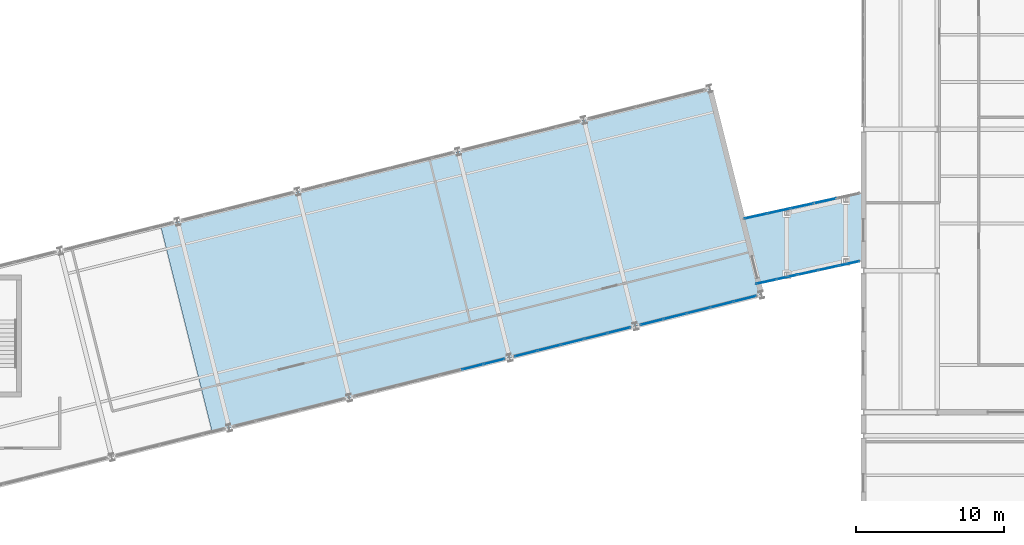
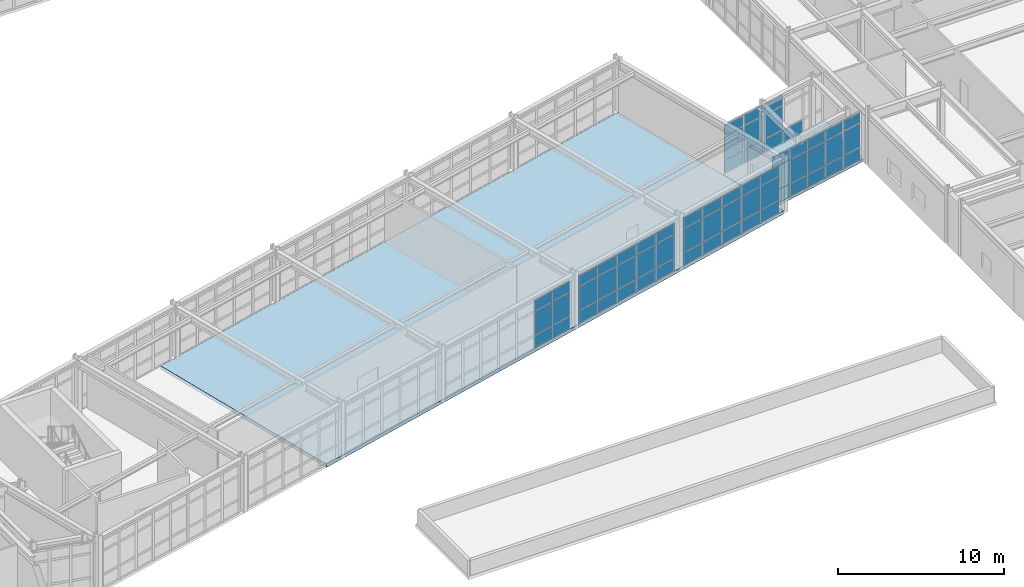
# One storey, part 63 of 99: 61 plates, 2 slabs, 5 elements without a shape of their own.
"""IFC4 building model written with IfcOpenShell, lengths in metres."""

import ifcopenshell
import ifcopenshell.guid

model = None  # the IFC model being written
_history = None  # IfcOwnerHistory: only IFC2X3 demands one
_inside = {}  # id of a spatial element -> (the spatial element, [elements in it])
_under = {}  # id of a project, library or spatial element -> (it, [spatial elements below it])
_declared = {}  # id of a project -> (the project, [libraries it declares])
_typed = {}  # id of a type object -> (the type object, [elements of that type])
_made_of = {}  # id of a material, layer set ... -> (it, [elements and type objects made of it])


def new_model(schema):
    """Start an empty IFC model of exactly this schema.

    Asked for "IFC4X3", IfcOpenShell would pick the latest addendum, in which some entities
    have other attributes; the version numbers below select the first issue.
    IFC2X3 requires an IfcOwnerHistory on every rooted entity: one is made here for all.
    """
    global model, _history
    if schema == "IFC4X3":
        model = ifcopenshell.file(schema_version=(4, 3, 0, 0))
    else:
        model = ifcopenshell.file(schema=schema)
    _inside.clear()
    _under.clear()
    _declared.clear()
    _typed.clear()
    _made_of.clear()
    _history = None
    if model.schema == "IFC2X3":
        org = make("IfcOrganization", Name="unknown")
        user = make(
            "IfcPersonAndOrganization",
            ThePerson=make("IfcPerson", FamilyName="unknown"),
            TheOrganization=org,
        )
        app = make(
            "IfcApplication",
            ApplicationDeveloper=org,
            Version="unknown",
            ApplicationFullName="unknown",
            ApplicationIdentifier="unknown",
        )
        _history = make(
            "IfcOwnerHistory",
            OwningUser=user,
            OwningApplication=app,
            ChangeAction="ADDED",
            CreationDate=0,
        )
    return model


def make(cls, **values):
    """One entity of the class cls with the attributes given. An attribute that is None is left unset."""
    return model.create_entity(
        cls, **{name: value for name, value in values.items() if value is not None}
    )


def rooted(cls, **values):
    """An entity with a GlobalId (a new one), such as an element, a storey or a relation."""
    return make(cls, GlobalId=ifcopenshell.guid.new(), OwnerHistory=_history, **values)


def si_unit(unit_type, name, prefix=None):
    """IfcSIUnit, for example si_unit("LENGTHUNIT", "METRE", prefix="MILLI")."""
    return make("IfcSIUnit", UnitType=unit_type, Prefix=prefix, Name=name)


def assignment(units):
    """IfcUnitAssignment: the units of a project."""
    return None if units is None else make("IfcUnitAssignment", Units=units)


def point(xyz):
    """IfcCartesianPoint."""
    return None if xyz is None else make("IfcCartesianPoint", Coordinates=xyz)


def direction(xyz):
    """IfcDirection."""
    return None if xyz is None else make("IfcDirection", DirectionRatios=xyz)


def frame(location, z_axis=None, x_axis=None):
    """IfcAxis2Placement3D, a coordinate frame: its origin and axes. An axis left out is left unset."""
    return make(
        "IfcAxis2Placement3D",
        Location=point(location),
        Axis=direction(z_axis),
        RefDirection=direction(x_axis),
    )


def frame_2d(location, x_axis=None):
    """IfcAxis2Placement2D, a coordinate frame in the plane: its origin and x axis."""
    return make(
        "IfcAxis2Placement2D", Location=point(location), RefDirection=direction(x_axis)
    )


def origin():
    """The frame at (0, 0, 0) with its axes left unset."""
    return frame((0.0, 0.0, 0.0))


def origin_2d():
    """The frame at (0, 0) in the plane with its x axis left unset."""
    return frame_2d((0.0, 0.0))


def place(relative_to, where):
    """IfcLocalPlacement: puts the frame where relative to a parent placement (None: the world)."""
    return make(
        "IfcLocalPlacement", PlacementRelTo=relative_to, RelativePlacement=where
    )


def context(
    kind, dimensions, precision=None, world=None, true_north=None, identifier=None
):
    """IfcGeometricRepresentationContext, for example the 3D "Model" context."""
    return make(
        "IfcGeometricRepresentationContext",
        ContextIdentifier=identifier,
        ContextType=kind,
        CoordinateSpaceDimension=dimensions,
        Precision=precision,
        WorldCoordinateSystem=world,
        TrueNorth=true_north,
    )


def subcontext(parent, identifier, kind, view, scale=None):
    """IfcGeometricRepresentationSubContext, for example "Body" below "Model"."""
    return make(
        "IfcGeometricRepresentationSubContext",
        ContextIdentifier=identifier,
        ContextType=kind,
        ParentContext=parent,
        TargetScale=scale,
        TargetView=view,
    )


def project(units=None, contexts=None):
    """IfcProject with its units and contexts."""
    return rooted(
        "IfcProject",
        Name="project",
        RepresentationContexts=contexts,
        UnitsInContext=assignment(units),
    )


def spatial(cls, under=None, at=None, **own):
    """A site, building, storey or space (cls), placed at a placement, below another one or the project."""
    s = rooted(cls, ObjectPlacement=at, **own)
    if under is not None:
        _under.setdefault(under.id(), (under, []))[1].append(s)
    return s


def polyline(points):
    """IfcPolyline through the points."""
    return make("IfcPolyline", Points=[point(p) for p in points])


def profile(cls, at=None, kind="AREA", **sizes):
    """A parametric profile (cls). Its sizes go by their IFC names, for example OverallWidth=200.0."""
    return make(cls, ProfileType=kind, Position=at, **sizes)


def rectangle(**sizes):
    """IfcRectangleProfileDef."""
    return profile("IfcRectangleProfileDef", **sizes)


def outline(outer, holes=None, kind="AREA"):
    """IfcArbitraryClosedProfileDef: a profile drawn as a closed curve; with holes, ...WithVoids."""
    if holes is None:
        return make("IfcArbitraryClosedProfileDef", ProfileType=kind, OuterCurve=outer)
    return make(
        "IfcArbitraryProfileDefWithVoids",
        ProfileType=kind,
        OuterCurve=outer,
        InnerCurves=holes,
    )


def extrude(swept, where, along, depth):
    """IfcExtrudedAreaSolid: the profile swept, set in the frame where, extruded along a direction by depth."""
    return make(
        "IfcExtrudedAreaSolid",
        SweptArea=swept,
        Position=where,
        ExtrudedDirection=direction(along),
        Depth=depth,
    )


def shape(context_of_items, identifier, shape_type, items):
    """IfcShapeRepresentation: the items that make up one representation, for example the "Body"."""
    return make(
        "IfcShapeRepresentation",
        ContextOfItems=context_of_items,
        RepresentationIdentifier=identifier,
        RepresentationType=shape_type,
        Items=items,
    )


def material(Name=None, Category=None):
    """IfcMaterial."""
    return make("IfcMaterial", Name=Name, Category=Category)


def layer(
    of_material, thickness, ventilated=None, Name=None, Category=None, Priority=None
):
    """IfcMaterialLayer: one layer of a wall or slab, of a material (None: an air gap)."""
    return make(
        "IfcMaterialLayer",
        Material=of_material,
        LayerThickness=thickness,
        IsVentilated=ventilated,
        Name=Name,
        Category=Category,
        Priority=Priority,
    )


def layer_set(layers, Name=None):
    """IfcMaterialLayerSet."""
    return make("IfcMaterialLayerSet", MaterialLayers=layers, LayerSetName=Name)


def made_of(thing, what):
    """Note that an element or type object is made of a material, layer set ...; save() writes the relation."""
    if what is not None:
        _made_of.setdefault(what.id(), (what, []))[1].append(thing)
    return thing


def type_object(cls, material=None, **own):
    """A type object (cls), such as IfcWallType, which elements share."""
    return made_of(rooted(cls, **own), material)


def element(
    cls,
    number,
    at=None,
    inside=None,
    cuts=None,
    type_object=None,
    material=None,
    context=None,
    identifier="Body",
    shape_type=None,
    held_by="IfcProductDefinitionShape",
    body=None,
    shapes=None,
    **own,
):
    """One element of the class cls, such as IfcWall. Its Tag is "e" and its number.

    at: its placement. inside: the storey or other place that contains it. cuts: it is an
    opening in that element (IfcRelVoidsElement). A single representation is given by context,
    identifier, shape_type and body (its items); several are given by shapes. held_by: the class
    of the entity that holds the representations. save() writes the other relations.
    """
    e = rooted(cls, Tag="e%d" % number, ObjectPlacement=at, **own)
    if body is not None:
        shapes = [shape(context, identifier, shape_type, body)]
    if shapes is not None:
        e.Representation = make(held_by, Representations=shapes)
    if inside is not None:
        _inside.setdefault(inside.id(), (inside, []))[1].append(e)
    if cuts is not None:
        rooted(
            "IfcRelVoidsElement", RelatingBuildingElement=cuts, RelatedOpeningElement=e
        )
    if type_object is not None:
        _typed.setdefault(type_object.id(), (type_object, []))[1].append(e)
    return made_of(e, material)


def aggregate(whole, parts):
    """IfcRelAggregates: a whole, such as a stair, and the parts it consists of."""
    return rooted("IfcRelAggregates", RelatingObject=whole, RelatedObjects=parts)


def save(model, path):
    """Write the relations noted so far, then the file.

    IfcRelAggregates (storeys below a building ...), IfcRelContainedInSpatialStructure (elements
    in a storey), IfcRelDefinesByType, IfcRelAssociatesMaterial and IfcRelDeclares: one each for
    every whole, place, type object, material and project.
    """
    for whole, parts in _under.values():
        aggregate(whole, parts)
    for where, things in _inside.values():
        rooted(
            "IfcRelContainedInSpatialStructure",
            RelatedElements=things,
            RelatingStructure=where,
        )
    for kind, things in _typed.values():
        rooted("IfcRelDefinesByType", RelatedObjects=things, RelatingType=kind)
    for what, things in _made_of.values():
        rooted("IfcRelAssociatesMaterial", RelatedObjects=things, RelatingMaterial=what)
    for by, libraries in _declared.values():
        rooted("IfcRelDeclares", RelatingContext=by, RelatedDefinitions=libraries)
    model.write(path)


model = new_model("IFC4")

# Units and contexts
model_context = context("Model", 3, precision=1e-05, world=origin(), true_north=direction((0.0, 1.0)))
body_context = subcontext(model_context, "Body", "Model", "MODEL_VIEW")
ifc_project = project(units=[si_unit("LENGTHUNIT", "METRE"), si_unit("AREAUNIT", "SQUARE_METRE"), si_unit("VOLUMEUNIT", "CUBIC_METRE"), si_unit("PLANEANGLEUNIT", "RADIAN"), si_unit("MASSUNIT", "GRAM", prefix="KILO")], contexts=[model_context])

# Site, building, storey
site_placement = place(None, origin())
site = spatial("IfcSite", under=ifc_project, at=site_placement, CompositionType="ELEMENT")
building_placement = place(site_placement, origin())
building = spatial("IfcBuilding", under=site, at=building_placement, Name="Nordkorset Police Headquarters", CompositionType="ELEMENT")
storey_placement = place(building_placement, frame((0.0, 0.0, 5.25)))
storey = spatial("IfcBuildingStorey", under=building, at=storey_placement, Name="L01", CompositionType="ELEMENT", Elevation=5.25)

# Curtain wall, plates
ifc_material_1 = material(Name="Aluminium alloy AW-6060", Category="aluminium")
ifc_layer_1 = layer(ifc_material_1, 0.179931640625, Name="Aluminium alloy AW-6060")
ifc_layer_set_1 = layer_set([ifc_layer_1], Name="Aluminium alloy AW-6060")
curtain_wall_type_1 = type_object("IfcCurtainWallType", Name="CW_Unit_1056x363", PredefinedType="USERDEFINED", material=ifc_layer_set_1)
curtain_wall_1_placement = place(storey_placement, origin())
curtain_wall_1 = element("IfcCurtainWall", 1, at=curtain_wall_1_placement, inside=storey, type_object=curtain_wall_type_1, Name="Unitised Curtain Wall L01 V4S-3", ObjectType="UNITISED CURTAIN WALL", PredefinedType="USERDEFINED")
ifc_material_2 = material(Name="Low-iron triple glazing", Category="glass")
ifc_layer_2 = layer(ifc_material_2, 0.035888671875, Name="Low-iron triple glazing")
ifc_layer_set_2 = layer_set([ifc_layer_2], Name="Low-iron triple glazing")
plate_type = type_object("IfcPlateType", Name="CW_Panel_TripleGlazing_36", PredefinedType="CURTAIN_PANEL", material=ifc_layer_set_2)
plate_1_placement = place(storey_placement, frame((59.89990234375, 51.074951171875, 0.06494140625), z_axis=(0.0, 0.0, 1.0), x_axis=(0.970142611554, 0.242535179399, 0.0)))
plate_1 = element("IfcPlate", 2, at=plate_1_placement, type_object=plate_type, Name="CW-96 panel 6.1", PredefinedType="CURTAIN_PANEL", context=body_context, shape_type="SweptSolid", body=[
    extrude(rectangle(XDim=1.443603515625, YDim=0.035888671875, at=origin_2d()), origin(), (0.0, 0.0, 1.0), 0.902587890625),
])
plate_2_placement = place(storey_placement, frame((59.89990234375, 51.074951171875, 1.0322265625), z_axis=(0.0, 0.0, 1.0), x_axis=(0.970142611554, 0.242535179399, 0.0)))
plate_2 = element("IfcPlate", 3, at=plate_2_placement, type_object=plate_type, Name="CW-96 panel 6.2", PredefinedType="CURTAIN_PANEL", context=body_context, shape_type="SweptSolid", body=[
    extrude(rectangle(XDim=1.443603515625, YDim=0.035888671875, at=origin_2d()), origin(), (0.0, 0.0, 1.0), 1.715087890625),
])
plate_3_placement = place(storey_placement, frame((59.89990234375, 51.074951171875, 2.8125), z_axis=(0.0, 0.0, 1.0), x_axis=(0.970142611554, 0.242535179399, 0.0)))
plate_3 = element("IfcPlate", 4, at=plate_3_placement, type_object=plate_type, Name="CW-96 panel 6.3", PredefinedType="CURTAIN_PANEL", context=body_context, shape_type="SweptSolid", body=[
    extrude(rectangle(XDim=1.443603515625, YDim=0.035888671875, at=origin_2d()), origin(), (0.0, 0.0, 1.0), 0.75244140625),
])
plate_4_placement = place(storey_placement, frame((61.34765625, 51.43701171875, 0.06494140625), z_axis=(0.0, 0.0, 1.0), x_axis=(0.970142611554, 0.242535179399, 0.0)))
plate_4 = element("IfcPlate", 5, at=plate_4_placement, type_object=plate_type, Name="CW-96 panel 7.1", PredefinedType="CURTAIN_PANEL", context=body_context, shape_type="SweptSolid", body=[
    extrude(rectangle(XDim=1.4111328125, YDim=0.035888671875, at=origin_2d()), origin(), (0.0, 0.0, 1.0), 0.902587890625),
])
plate_5_placement = place(storey_placement, frame((61.34765625, 51.43701171875, 1.0322265625), z_axis=(0.0, 0.0, 1.0), x_axis=(0.970142611554, 0.242535179399, 0.0)))
plate_5 = element("IfcPlate", 6, at=plate_5_placement, type_object=plate_type, Name="CW-96 panel 7.2", PredefinedType="CURTAIN_PANEL", context=body_context, shape_type="SweptSolid", body=[
    extrude(rectangle(XDim=1.4111328125, YDim=0.035888671875, at=origin_2d()), origin(), (0.0, 0.0, 1.0), 1.715087890625),
])
plate_6_placement = place(storey_placement, frame((61.34765625, 51.43701171875, 2.8125), z_axis=(0.0, 0.0, 1.0), x_axis=(0.970142611554, 0.242535179399, 0.0)))
plate_6 = element("IfcPlate", 7, at=plate_6_placement, type_object=plate_type, Name="CW-96 panel 7.3", PredefinedType="CURTAIN_PANEL", context=body_context, shape_type="SweptSolid", body=[
    extrude(rectangle(XDim=1.4111328125, YDim=0.035888671875, at=origin_2d()), origin(), (0.0, 0.0, 1.0), 0.75244140625),
])
aggregate(curtain_wall_1, [plate_1, plate_2, plate_3, plate_4, plate_5, plate_6])

ifc_material_3 = material(Name="Aluminium alloy AW-6060", Category="aluminium")
ifc_layer_3 = layer(ifc_material_3, 0.179931640625, Name="Aluminium alloy AW-6060")
ifc_layer_set_3 = layer_set([ifc_layer_3], Name="Aluminium alloy AW-6060")
curtain_wall_type_2 = type_object("IfcCurtainWallType", Name="CW_Unit_816x363", PredefinedType="USERDEFINED", material=ifc_layer_set_3)
curtain_wall_2_placement = place(storey_placement, origin())
curtain_wall_2 = element("IfcCurtainWall", 8, at=curtain_wall_2_placement, inside=storey, type_object=curtain_wall_type_2, Name="Unitised Curtain Wall L01 V4S-4", ObjectType="UNITISED CURTAIN WALL", PredefinedType="USERDEFINED")
plate_7_placement = place(storey_placement, frame((63.5234375, 51.98095703125, 0.06494140625), z_axis=(0.0, 0.0, 1.0), x_axis=(0.970142500145, 0.242535625038, 0.0)))
plate_7 = element("IfcPlate", 9, at=plate_7_placement, type_object=plate_type, Name="CW-34 panel 1.1", PredefinedType="CURTAIN_PANEL", context=body_context, shape_type="SweptSolid", body=[
    extrude(rectangle(XDim=1.534423828125, YDim=0.035888671875, at=origin_2d()), origin(), (0.0, 0.0, 1.0), 0.902587890625),
])
plate_8_placement = place(storey_placement, frame((63.5234375, 51.98095703125, 1.0322265625), z_axis=(0.0, 0.0, 1.0), x_axis=(0.970142500145, 0.242535625038, 0.0)))
plate_8 = element("IfcPlate", 10, at=plate_8_placement, type_object=plate_type, Name="CW-34 panel 1.2", PredefinedType="CURTAIN_PANEL", context=body_context, shape_type="SweptSolid", body=[
    extrude(rectangle(XDim=1.534423828125, YDim=0.035888671875, at=origin_2d()), origin(), (0.0, 0.0, 1.0), 1.715087890625),
])
plate_9_placement = place(storey_placement, frame((63.5234375, 51.98095703125, 2.8125), z_axis=(0.0, 0.0, 1.0), x_axis=(0.970142500145, 0.242535625038, 0.0)))
plate_9 = element("IfcPlate", 11, at=plate_9_placement, type_object=plate_type, Name="CW-34 panel 1.3", PredefinedType="CURTAIN_PANEL", context=body_context, shape_type="SweptSolid", body=[
    extrude(rectangle(XDim=1.534423828125, YDim=0.035888671875, at=origin_2d()), origin(), (0.0, 0.0, 1.0), 0.75244140625),
])
plate_10_placement = place(storey_placement, frame((65.091064453125, 52.372802734375, 0.06494140625), z_axis=(0.0, 0.0, 1.0), x_axis=(0.970142500145, 0.242535625038, 0.0)))
plate_10 = element("IfcPlate", 12, at=plate_10_placement, type_object=plate_type, Name="CW-34 panel 2.1", PredefinedType="CURTAIN_PANEL", context=body_context, shape_type="SweptSolid", body=[
    extrude(rectangle(XDim=1.56689453125, YDim=0.035888671875, at=origin_2d()), origin(), (0.0, 0.0, 1.0), 0.902587890625),
])
plate_11_placement = place(storey_placement, frame((65.091064453125, 52.372802734375, 1.0322265625), z_axis=(0.0, 0.0, 1.0), x_axis=(0.970142500145, 0.242535625038, 0.0)))
plate_11 = element("IfcPlate", 13, at=plate_11_placement, type_object=plate_type, Name="CW-34 panel 2.2", PredefinedType="CURTAIN_PANEL", context=body_context, shape_type="SweptSolid", body=[
    extrude(rectangle(XDim=1.56689453125, YDim=0.035888671875, at=origin_2d()), origin(), (0.0, 0.0, 1.0), 1.715087890625),
])
plate_12_placement = place(storey_placement, frame((65.091064453125, 52.372802734375, 2.8125), z_axis=(0.0, 0.0, 1.0), x_axis=(0.970142500145, 0.242535625038, 0.0)))
plate_12 = element("IfcPlate", 14, at=plate_12_placement, type_object=plate_type, Name="CW-34 panel 2.3", PredefinedType="CURTAIN_PANEL", context=body_context, shape_type="SweptSolid", body=[
    extrude(rectangle(XDim=1.56689453125, YDim=0.035888671875, at=origin_2d()), origin(), (0.0, 0.0, 1.0), 0.75244140625),
])
plate_13_placement = place(storey_placement, frame((66.67431640625, 52.7685546875, 0.06494140625), z_axis=(0.0, 0.0, 1.0), x_axis=(0.970142500145, 0.242535625038, 0.0)))
plate_13 = element("IfcPlate", 15, at=plate_13_placement, type_object=plate_type, Name="CW-34 panel 3.1", PredefinedType="CURTAIN_PANEL", context=body_context, shape_type="SweptSolid", body=[
    extrude(rectangle(XDim=1.56689453125, YDim=0.035888671875, at=origin_2d()), origin(), (0.0, 0.0, 1.0), 0.902587890625),
])
plate_14_placement = place(storey_placement, frame((66.67431640625, 52.7685546875, 1.0322265625), z_axis=(0.0, 0.0, 1.0), x_axis=(0.970142500145, 0.242535625038, 0.0)))
plate_14 = element("IfcPlate", 16, at=plate_14_placement, type_object=plate_type, Name="CW-34 panel 3.2", PredefinedType="CURTAIN_PANEL", context=body_context, shape_type="SweptSolid", body=[
    extrude(rectangle(XDim=1.56689453125, YDim=0.035888671875, at=origin_2d()), origin(), (0.0, 0.0, 1.0), 1.715087890625),
])
plate_15_placement = place(storey_placement, frame((66.67431640625, 52.7685546875, 2.8125), z_axis=(0.0, 0.0, 1.0), x_axis=(0.970142500145, 0.242535625038, 0.0)))
plate_15 = element("IfcPlate", 17, at=plate_15_placement, type_object=plate_type, Name="CW-34 panel 3.3", PredefinedType="CURTAIN_PANEL", context=body_context, shape_type="SweptSolid", body=[
    extrude(rectangle(XDim=1.56689453125, YDim=0.035888671875, at=origin_2d()), origin(), (0.0, 0.0, 1.0), 0.75244140625),
])
plate_16_placement = place(storey_placement, frame((68.257568359375, 53.164306640625, 0.06494140625), z_axis=(0.0, 0.0, 1.0), x_axis=(0.970142500145, 0.242535625038, 0.0)))
plate_16 = element("IfcPlate", 18, at=plate_16_placement, type_object=plate_type, Name="CW-34 panel 4.1", PredefinedType="CURTAIN_PANEL", context=body_context, shape_type="SweptSolid", body=[
    extrude(rectangle(XDim=1.56689453125, YDim=0.035888671875, at=origin_2d()), origin(), (0.0, 0.0, 1.0), 0.902587890625),
])
plate_17_placement = place(storey_placement, frame((68.257568359375, 53.164306640625, 1.0322265625), z_axis=(0.0, 0.0, 1.0), x_axis=(0.970142500145, 0.242535625038, 0.0)))
plate_17 = element("IfcPlate", 19, at=plate_17_placement, type_object=plate_type, Name="CW-34 panel 4.2", PredefinedType="CURTAIN_PANEL", context=body_context, shape_type="SweptSolid", body=[
    extrude(rectangle(XDim=1.56689453125, YDim=0.035888671875, at=origin_2d()), origin(), (0.0, 0.0, 1.0), 1.715087890625),
])
plate_18_placement = place(storey_placement, frame((68.257568359375, 53.164306640625, 2.8125), z_axis=(0.0, 0.0, 1.0), x_axis=(0.970142500145, 0.242535625038, 0.0)))
plate_18 = element("IfcPlate", 20, at=plate_18_placement, type_object=plate_type, Name="CW-34 panel 4.3", PredefinedType="CURTAIN_PANEL", context=body_context, shape_type="SweptSolid", body=[
    extrude(rectangle(XDim=1.56689453125, YDim=0.035888671875, at=origin_2d()), origin(), (0.0, 0.0, 1.0), 0.75244140625),
])
plate_19_placement = place(storey_placement, frame((69.8251953125, 53.556396484375, 0.06494140625), z_axis=(0.0, 0.0, 1.0), x_axis=(0.970142500145, 0.242535625038, 0.0)))
plate_19 = element("IfcPlate", 21, at=plate_19_placement, type_object=plate_type, Name="CW-34 panel 5.1", PredefinedType="CURTAIN_PANEL", context=body_context, shape_type="SweptSolid", body=[
    extrude(rectangle(XDim=1.534423828125, YDim=0.035888671875, at=origin_2d()), origin(), (0.0, 0.0, 1.0), 0.902587890625),
])
plate_20_placement = place(storey_placement, frame((69.8251953125, 53.556396484375, 1.0322265625), z_axis=(0.0, 0.0, 1.0), x_axis=(0.970142500145, 0.242535625038, 0.0)))
plate_20 = element("IfcPlate", 22, at=plate_20_placement, type_object=plate_type, Name="CW-34 panel 5.2", PredefinedType="CURTAIN_PANEL", context=body_context, shape_type="SweptSolid", body=[
    extrude(rectangle(XDim=1.534423828125, YDim=0.035888671875, at=origin_2d()), origin(), (0.0, 0.0, 1.0), 1.715087890625),
])
plate_21_placement = place(storey_placement, frame((69.8251953125, 53.556396484375, 2.8125), z_axis=(0.0, 0.0, 1.0), x_axis=(0.970142500145, 0.242535625038, 0.0)))
plate_21 = element("IfcPlate", 23, at=plate_21_placement, type_object=plate_type, Name="CW-34 panel 5.3", PredefinedType="CURTAIN_PANEL", context=body_context, shape_type="SweptSolid", body=[
    extrude(rectangle(XDim=1.534423828125, YDim=0.035888671875, at=origin_2d()), origin(), (0.0, 0.0, 1.0), 0.75244140625),
])
aggregate(curtain_wall_2, [plate_7, plate_8, plate_9, plate_10, plate_11, plate_12, plate_13, plate_14, plate_15, plate_16, plate_17, plate_18, plate_19, plate_20, plate_21])

curtain_wall_3_placement = place(storey_placement, origin())
curtain_wall_3 = element("IfcCurtainWall", 24, at=curtain_wall_3_placement, inside=storey, type_object=curtain_wall_type_2, Name="Unitised Curtain Wall L01 V4S-5", ObjectType="UNITISED CURTAIN WALL", PredefinedType="USERDEFINED")
plate_22_placement = place(storey_placement, frame((72.060791015625, 54.115234375, 0.06494140625), z_axis=(0.0, 0.0, 1.0), x_axis=(0.970142500145, 0.242535625038, 0.0)))
plate_22 = element("IfcPlate", 25, at=plate_22_placement, type_object=plate_type, Name="CW-34 panel 1.1", PredefinedType="CURTAIN_PANEL", context=body_context, shape_type="SweptSolid", body=[
    extrude(rectangle(XDim=1.534423828125, YDim=0.035888671875, at=origin_2d()), origin(), (0.0, 0.0, 1.0), 0.902587890625),
])
plate_23_placement = place(storey_placement, frame((72.060791015625, 54.115234375, 1.0322265625), z_axis=(0.0, 0.0, 1.0), x_axis=(0.970142500145, 0.242535625038, 0.0)))
plate_23 = element("IfcPlate", 26, at=plate_23_placement, type_object=plate_type, Name="CW-34 panel 1.2", PredefinedType="CURTAIN_PANEL", context=body_context, shape_type="SweptSolid", body=[
    extrude(rectangle(XDim=1.534423828125, YDim=0.035888671875, at=origin_2d()), origin(), (0.0, 0.0, 1.0), 1.715087890625),
])
plate_24_placement = place(storey_placement, frame((72.060791015625, 54.115234375, 2.8125), z_axis=(0.0, 0.0, 1.0), x_axis=(0.970142500145, 0.242535625038, 0.0)))
plate_24 = element("IfcPlate", 27, at=plate_24_placement, type_object=plate_type, Name="CW-34 panel 1.3", PredefinedType="CURTAIN_PANEL", context=body_context, shape_type="SweptSolid", body=[
    extrude(rectangle(XDim=1.534423828125, YDim=0.035888671875, at=origin_2d()), origin(), (0.0, 0.0, 1.0), 0.75244140625),
])
plate_25_placement = place(storey_placement, frame((73.62841796875, 54.507080078125, 0.06494140625), z_axis=(0.0, 0.0, 1.0), x_axis=(0.970142500145, 0.242535625038, 0.0)))
plate_25 = element("IfcPlate", 28, at=plate_25_placement, type_object=plate_type, Name="CW-34 panel 2.1", PredefinedType="CURTAIN_PANEL", context=body_context, shape_type="SweptSolid", body=[
    extrude(rectangle(XDim=1.56689453125, YDim=0.035888671875, at=origin_2d()), origin(), (0.0, 0.0, 1.0), 0.902587890625),
])
plate_26_placement = place(storey_placement, frame((73.62841796875, 54.507080078125, 1.0322265625), z_axis=(0.0, 0.0, 1.0), x_axis=(0.970142500145, 0.242535625038, 0.0)))
plate_26 = element("IfcPlate", 29, at=plate_26_placement, type_object=plate_type, Name="CW-34 panel 2.2", PredefinedType="CURTAIN_PANEL", context=body_context, shape_type="SweptSolid", body=[
    extrude(rectangle(XDim=1.56689453125, YDim=0.035888671875, at=origin_2d()), origin(), (0.0, 0.0, 1.0), 1.715087890625),
])
plate_27_placement = place(storey_placement, frame((73.62841796875, 54.507080078125, 2.8125), z_axis=(0.0, 0.0, 1.0), x_axis=(0.970142500145, 0.242535625038, 0.0)))
plate_27 = element("IfcPlate", 30, at=plate_27_placement, type_object=plate_type, Name="CW-34 panel 2.3", PredefinedType="CURTAIN_PANEL", context=body_context, shape_type="SweptSolid", body=[
    extrude(rectangle(XDim=1.56689453125, YDim=0.035888671875, at=origin_2d()), origin(), (0.0, 0.0, 1.0), 0.75244140625),
])
plate_28_placement = place(storey_placement, frame((75.211669921875, 54.90283203125, 0.06494140625), z_axis=(0.0, 0.0, 1.0), x_axis=(0.970142500145, 0.242535625038, 0.0)))
plate_28 = element("IfcPlate", 31, at=plate_28_placement, type_object=plate_type, Name="CW-34 panel 3.1", PredefinedType="CURTAIN_PANEL", context=body_context, shape_type="SweptSolid", body=[
    extrude(rectangle(XDim=1.56689453125, YDim=0.035888671875, at=origin_2d()), origin(), (0.0, 0.0, 1.0), 0.902587890625),
])
plate_29_placement = place(storey_placement, frame((75.211669921875, 54.90283203125, 1.0322265625), z_axis=(0.0, 0.0, 1.0), x_axis=(0.970142500145, 0.242535625038, 0.0)))
plate_29 = element("IfcPlate", 32, at=plate_29_placement, type_object=plate_type, Name="CW-34 panel 3.2", PredefinedType="CURTAIN_PANEL", context=body_context, shape_type="SweptSolid", body=[
    extrude(rectangle(XDim=1.56689453125, YDim=0.035888671875, at=origin_2d()), origin(), (0.0, 0.0, 1.0), 1.715087890625),
])
plate_30_placement = place(storey_placement, frame((75.211669921875, 54.90283203125, 2.8125), z_axis=(0.0, 0.0, 1.0), x_axis=(0.970142500145, 0.242535625038, 0.0)))
plate_30 = element("IfcPlate", 33, at=plate_30_placement, type_object=plate_type, Name="CW-34 panel 3.3", PredefinedType="CURTAIN_PANEL", context=body_context, shape_type="SweptSolid", body=[
    extrude(rectangle(XDim=1.56689453125, YDim=0.035888671875, at=origin_2d()), origin(), (0.0, 0.0, 1.0), 0.75244140625),
])
plate_31_placement = place(storey_placement, frame((76.794921875, 55.298828125, 0.06494140625), z_axis=(0.0, 0.0, 1.0), x_axis=(0.970142500145, 0.242535625038, 0.0)))
plate_31 = element("IfcPlate", 34, at=plate_31_placement, type_object=plate_type, Name="CW-34 panel 4.1", PredefinedType="CURTAIN_PANEL", context=body_context, shape_type="SweptSolid", body=[
    extrude(rectangle(XDim=1.56689453125, YDim=0.035888671875, at=origin_2d()), origin(), (0.0, 0.0, 1.0), 0.902587890625),
])
plate_32_placement = place(storey_placement, frame((76.794921875, 55.298828125, 1.0322265625), z_axis=(0.0, 0.0, 1.0), x_axis=(0.970142500145, 0.242535625038, 0.0)))
plate_32 = element("IfcPlate", 35, at=plate_32_placement, type_object=plate_type, Name="CW-34 panel 4.2", PredefinedType="CURTAIN_PANEL", context=body_context, shape_type="SweptSolid", body=[
    extrude(rectangle(XDim=1.56689453125, YDim=0.035888671875, at=origin_2d()), origin(), (0.0, 0.0, 1.0), 1.715087890625),
])
plate_33_placement = place(storey_placement, frame((76.794921875, 55.298828125, 2.8125), z_axis=(0.0, 0.0, 1.0), x_axis=(0.970142500145, 0.242535625038, 0.0)))
plate_33 = element("IfcPlate", 36, at=plate_33_placement, type_object=plate_type, Name="CW-34 panel 4.3", PredefinedType="CURTAIN_PANEL", context=body_context, shape_type="SweptSolid", body=[
    extrude(rectangle(XDim=1.56689453125, YDim=0.035888671875, at=origin_2d()), origin(), (0.0, 0.0, 1.0), 0.75244140625),
])
plate_34_placement = place(storey_placement, frame((78.3623046875, 55.690673828125, 0.06494140625), z_axis=(0.0, 0.0, 1.0), x_axis=(0.970142500145, 0.242535625038, 0.0)))
plate_34 = element("IfcPlate", 37, at=plate_34_placement, type_object=plate_type, Name="CW-34 panel 5.1", PredefinedType="CURTAIN_PANEL", context=body_context, shape_type="SweptSolid", body=[
    extrude(rectangle(XDim=1.534423828125, YDim=0.035888671875, at=origin_2d()), origin(), (0.0, 0.0, 1.0), 0.902587890625),
])
plate_35_placement = place(storey_placement, frame((78.3623046875, 55.690673828125, 1.0322265625), z_axis=(0.0, 0.0, 1.0), x_axis=(0.970142500145, 0.242535625038, 0.0)))
plate_35 = element("IfcPlate", 38, at=plate_35_placement, type_object=plate_type, Name="CW-34 panel 5.2", PredefinedType="CURTAIN_PANEL", context=body_context, shape_type="SweptSolid", body=[
    extrude(rectangle(XDim=1.534423828125, YDim=0.035888671875, at=origin_2d()), origin(), (0.0, 0.0, 1.0), 1.715087890625),
])
plate_36_placement = place(storey_placement, frame((78.3623046875, 55.690673828125, 2.8125), z_axis=(0.0, 0.0, 1.0), x_axis=(0.970142500145, 0.242535625038, 0.0)))
plate_36 = element("IfcPlate", 39, at=plate_36_placement, type_object=plate_type, Name="CW-34 panel 5.3", PredefinedType="CURTAIN_PANEL", context=body_context, shape_type="SweptSolid", body=[
    extrude(rectangle(XDim=1.534423828125, YDim=0.035888671875, at=origin_2d()), origin(), (0.0, 0.0, 1.0), 0.75244140625),
])
aggregate(curtain_wall_3, [plate_22, plate_23, plate_24, plate_25, plate_26, plate_27, plate_28, plate_29, plate_30, plate_31, plate_32, plate_33, plate_34, plate_35, plate_36])

ifc_material_4 = material(Name="Aluminium alloy AW-6060", Category="aluminium")
ifc_layer_4 = layer(ifc_material_4, 0.179931640625, Name="Aluminium alloy AW-6060")
ifc_layer_set_4 = layer_set([ifc_layer_4], Name="Aluminium alloy AW-6060")
curtain_wall_type_3 = type_object("IfcCurtainWallType", Name="CW_Unit_727x364", PredefinedType="USERDEFINED", material=ifc_layer_set_4)
curtain_wall_4_placement = place(storey_placement, origin())
curtain_wall_4 = element("IfcCurtainWall", 40, at=curtain_wall_4_placement, inside=storey, type_object=curtain_wall_type_3, Name="Unitised Curtain Wall L01 BRGE-S", ObjectType="UNITISED CURTAIN WALL", PredefinedType="USERDEFINED")
plate_37_placement = place(storey_placement, frame((79.801513671875, 56.857177734375, 0.06494140625), z_axis=(0.0, 0.0, 1.0), x_axis=(0.976891325695, 0.213736608425, 0.0)))
plate_37 = element("IfcPlate", 41, at=plate_37_placement, type_object=plate_type, Name="CW-07 panel 1.1", PredefinedType="CURTAIN_PANEL", context=body_context, shape_type="SweptSolid", body=[
    extrude(rectangle(XDim=1.355712890625, YDim=0.035888671875, at=origin_2d()), origin(), (0.0, 0.0, 1.0), 0.902587890625),
])
plate_38_placement = place(storey_placement, frame((79.801513671875, 56.857177734375, 1.03271484375), z_axis=(0.0, 0.0, 1.0), x_axis=(0.976891325695, 0.213736608425, 0.0)))
plate_38 = element("IfcPlate", 42, at=plate_38_placement, type_object=plate_type, Name="CW-07 panel 1.2", PredefinedType="CURTAIN_PANEL", context=body_context, shape_type="SweptSolid", body=[
    extrude(rectangle(XDim=1.355712890625, YDim=0.035888671875, at=origin_2d()), origin(), (0.0, 0.0, 1.0), 1.719970703125),
])
plate_39_placement = place(storey_placement, frame((79.801513671875, 56.857177734375, 2.817626953125), z_axis=(0.0, 0.0, 1.0), x_axis=(0.976891325695, 0.213736608425, 0.0)))
plate_39 = element("IfcPlate", 43, at=plate_39_placement, type_object=plate_type, Name="CW-07 panel 1.3", PredefinedType="CURTAIN_PANEL", context=body_context, shape_type="SweptSolid", body=[
    extrude(rectangle(XDim=1.355712890625, YDim=0.035888671875, at=origin_2d()), origin(), (0.0, 0.0, 1.0), 0.75244140625),
])
plate_40_placement = place(storey_placement, frame((81.205322265625, 57.164306640625, 0.06494140625), z_axis=(0.0, 0.0, 1.0), x_axis=(0.976891325695, 0.213736608425, 0.0)))
plate_40 = element("IfcPlate", 44, at=plate_40_placement, type_object=plate_type, Name="CW-07 panel 2.1", PredefinedType="CURTAIN_PANEL", context=body_context, shape_type="SweptSolid", body=[
    extrude(rectangle(XDim=1.38818359375, YDim=0.035888671875, at=origin_2d()), origin(), (0.0, 0.0, 1.0), 0.902587890625),
])
plate_41_placement = place(storey_placement, frame((81.205322265625, 57.164306640625, 1.03271484375), z_axis=(0.0, 0.0, 1.0), x_axis=(0.976891325695, 0.213736608425, 0.0)))
plate_41 = element("IfcPlate", 45, at=plate_41_placement, type_object=plate_type, Name="CW-07 panel 2.2", PredefinedType="CURTAIN_PANEL", context=body_context, shape_type="SweptSolid", body=[
    extrude(rectangle(XDim=1.38818359375, YDim=0.035888671875, at=origin_2d()), origin(), (0.0, 0.0, 1.0), 1.719970703125),
])
plate_42_placement = place(storey_placement, frame((81.205322265625, 57.164306640625, 2.817626953125), z_axis=(0.0, 0.0, 1.0), x_axis=(0.976891325695, 0.213736608425, 0.0)))
plate_42 = element("IfcPlate", 46, at=plate_42_placement, type_object=plate_type, Name="CW-07 panel 2.3", PredefinedType="CURTAIN_PANEL", context=body_context, shape_type="SweptSolid", body=[
    extrude(rectangle(XDim=1.38818359375, YDim=0.035888671875, at=origin_2d()), origin(), (0.0, 0.0, 1.0), 0.75244140625),
])
plate_43_placement = place(storey_placement, frame((82.625, 57.47509765625, 0.06494140625), z_axis=(0.0, 0.0, 1.0), x_axis=(0.976891325695, 0.213736608425, 0.0)))
plate_43 = element("IfcPlate", 47, at=plate_43_placement, type_object=plate_type, Name="CW-07 panel 3.1", PredefinedType="CURTAIN_PANEL", context=body_context, shape_type="SweptSolid", body=[
    extrude(rectangle(XDim=1.38818359375, YDim=0.035888671875, at=origin_2d()), origin(), (0.0, 0.0, 1.0), 0.902587890625),
])
plate_44_placement = place(storey_placement, frame((82.625, 57.47509765625, 1.03271484375), z_axis=(0.0, 0.0, 1.0), x_axis=(0.976891325695, 0.213736608425, 0.0)))
plate_44 = element("IfcPlate", 48, at=plate_44_placement, type_object=plate_type, Name="CW-07 panel 3.2", PredefinedType="CURTAIN_PANEL", context=body_context, shape_type="SweptSolid", body=[
    extrude(rectangle(XDim=1.38818359375, YDim=0.035888671875, at=origin_2d()), origin(), (0.0, 0.0, 1.0), 1.719970703125),
])
plate_45_placement = place(storey_placement, frame((82.625, 57.47509765625, 2.817626953125), z_axis=(0.0, 0.0, 1.0), x_axis=(0.976891325695, 0.213736608425, 0.0)))
plate_45 = element("IfcPlate", 49, at=plate_45_placement, type_object=plate_type, Name="CW-07 panel 3.3", PredefinedType="CURTAIN_PANEL", context=body_context, shape_type="SweptSolid", body=[
    extrude(rectangle(XDim=1.38818359375, YDim=0.035888671875, at=origin_2d()), origin(), (0.0, 0.0, 1.0), 0.75244140625),
])
plate_46_placement = place(storey_placement, frame((84.044677734375, 57.78564453125, 0.06494140625), z_axis=(0.0, 0.0, 1.0), x_axis=(0.976891325695, 0.213736608425, 0.0)))
plate_46 = element("IfcPlate", 50, at=plate_46_placement, type_object=plate_type, Name="CW-07 panel 4.1", PredefinedType="CURTAIN_PANEL", context=body_context, shape_type="SweptSolid", body=[
    extrude(rectangle(XDim=1.38818359375, YDim=0.035888671875, at=origin_2d()), origin(), (0.0, 0.0, 1.0), 0.902587890625),
])
plate_47_placement = place(storey_placement, frame((84.044677734375, 57.78564453125, 1.03271484375), z_axis=(0.0, 0.0, 1.0), x_axis=(0.976891325695, 0.213736608425, 0.0)))
plate_47 = element("IfcPlate", 51, at=plate_47_placement, type_object=plate_type, Name="CW-07 panel 4.2", PredefinedType="CURTAIN_PANEL", context=body_context, shape_type="SweptSolid", body=[
    extrude(rectangle(XDim=1.38818359375, YDim=0.035888671875, at=origin_2d()), origin(), (0.0, 0.0, 1.0), 1.719970703125),
])
plate_48_placement = place(storey_placement, frame((84.044677734375, 57.78564453125, 2.817626953125), z_axis=(0.0, 0.0, 1.0), x_axis=(0.976891325695, 0.213736608425, 0.0)))
plate_48 = element("IfcPlate", 52, at=plate_48_placement, type_object=plate_type, Name="CW-07 panel 4.3", PredefinedType="CURTAIN_PANEL", context=body_context, shape_type="SweptSolid", body=[
    extrude(rectangle(XDim=1.38818359375, YDim=0.035888671875, at=origin_2d()), origin(), (0.0, 0.0, 1.0), 0.75244140625),
])
plate_49_placement = place(storey_placement, frame((85.448486328125, 58.0927734375, 0.06494140625), z_axis=(0.0, 0.0, 1.0), x_axis=(0.976891325695, 0.213736608425, 0.0)))
plate_49 = element("IfcPlate", 53, at=plate_49_placement, type_object=plate_type, Name="CW-07 panel 5.1", PredefinedType="CURTAIN_PANEL", context=body_context, shape_type="SweptSolid", body=[
    extrude(rectangle(XDim=1.355712890625, YDim=0.035888671875, at=origin_2d()), origin(), (0.0, 0.0, 1.0), 0.902587890625),
])
plate_50_placement = place(storey_placement, frame((85.448486328125, 58.0927734375, 1.03271484375), z_axis=(0.0, 0.0, 1.0), x_axis=(0.976891325695, 0.213736608425, 0.0)))
plate_50 = element("IfcPlate", 54, at=plate_50_placement, type_object=plate_type, Name="CW-07 panel 5.2", PredefinedType="CURTAIN_PANEL", context=body_context, shape_type="SweptSolid", body=[
    extrude(rectangle(XDim=1.355712890625, YDim=0.035888671875, at=origin_2d()), origin(), (0.0, 0.0, 1.0), 1.719970703125),
])
plate_51_placement = place(storey_placement, frame((85.448486328125, 58.0927734375, 2.817626953125), z_axis=(0.0, 0.0, 1.0), x_axis=(0.976891325695, 0.213736608425, 0.0)))
plate_51 = element("IfcPlate", 55, at=plate_51_placement, type_object=plate_type, Name="CW-07 panel 5.3", PredefinedType="CURTAIN_PANEL", context=body_context, shape_type="SweptSolid", body=[
    extrude(rectangle(XDim=1.355712890625, YDim=0.035888671875, at=origin_2d()), origin(), (0.0, 0.0, 1.0), 0.75244140625),
])
aggregate(curtain_wall_4, [plate_37, plate_38, plate_39, plate_40, plate_41, plate_42, plate_43, plate_44, plate_45, plate_46, plate_47, plate_48, plate_49, plate_50, plate_51])

ifc_material_5 = material(Name="Aluminium alloy AW-6060", Category="aluminium")
ifc_layer_5 = layer(ifc_material_5, 0.179931640625, Name="Aluminium alloy AW-6060")
ifc_layer_set_5 = layer_set([ifc_layer_5], Name="Aluminium alloy AW-6060")
curtain_wall_type_4 = type_object("IfcCurtainWallType", Name="CW_Unit_809x364", PredefinedType="USERDEFINED", material=ifc_layer_set_5)
curtain_wall_5_placement = place(storey_placement, origin())
curtain_wall_5 = element("IfcCurtainWall", 56, at=curtain_wall_5_placement, inside=storey, type_object=curtain_wall_type_4, Name="Unitised Curtain Wall L01 BRGE-N", ObjectType="UNITISED CURTAIN WALL", PredefinedType="USERDEFINED")
plate_52_placement = place(storey_placement, frame((79.08154296875, 61.29541015625, 0.06494140625), z_axis=(0.0, 0.0, 1.0), x_axis=(0.976768327939, 0.214298001706, 0.0)))
plate_52 = element("IfcPlate", 57, at=plate_52_placement, type_object=plate_type, Name="CW-40 panel 1.1", PredefinedType="CURTAIN_PANEL", context=body_context, shape_type="SweptSolid", body=[
    extrude(rectangle(XDim=1.519775390625, YDim=0.035888671875, at=origin_2d()), origin(), (0.0, 0.0, 1.0), 0.902587890625),
])
plate_53_placement = place(storey_placement, frame((79.08154296875, 61.29541015625, 1.03271484375), z_axis=(0.0, 0.0, 1.0), x_axis=(0.976768327939, 0.214298001706, 0.0)))
plate_53 = element("IfcPlate", 58, at=plate_53_placement, type_object=plate_type, Name="CW-40 panel 1.2", PredefinedType="CURTAIN_PANEL", context=body_context, shape_type="SweptSolid", body=[
    extrude(rectangle(XDim=1.519775390625, YDim=0.035888671875, at=origin_2d()), origin(), (0.0, 0.0, 1.0), 1.719970703125),
])
plate_54_placement = place(storey_placement, frame((79.08154296875, 61.29541015625, 2.817626953125), z_axis=(0.0, 0.0, 1.0), x_axis=(0.976768327939, 0.214298001706, 0.0)))
plate_54 = element("IfcPlate", 59, at=plate_54_placement, type_object=plate_type, Name="CW-40 panel 1.3", PredefinedType="CURTAIN_PANEL", context=body_context, shape_type="SweptSolid", body=[
    extrude(rectangle(XDim=1.519775390625, YDim=0.035888671875, at=origin_2d()), origin(), (0.0, 0.0, 1.0), 0.75244140625),
])
plate_55_placement = place(storey_placement, frame((80.645263671875, 61.638427734375, 0.06494140625), z_axis=(0.0, 0.0, 1.0), x_axis=(0.976768327939, 0.214298001706, 0.0)))
plate_55 = element("IfcPlate", 60, at=plate_55_placement, type_object=plate_type, Name="CW-40 panel 2.1", PredefinedType="CURTAIN_PANEL", context=body_context, shape_type="SweptSolid", body=[
    extrude(rectangle(XDim=1.55224609375, YDim=0.035888671875, at=origin_2d()), origin(), (0.0, 0.0, 1.0), 0.902587890625),
])
plate_56_placement = place(storey_placement, frame((80.645263671875, 61.638427734375, 1.03271484375), z_axis=(0.0, 0.0, 1.0), x_axis=(0.976768327939, 0.214298001706, 0.0)))
plate_56 = element("IfcPlate", 61, at=plate_56_placement, type_object=plate_type, Name="CW-40 panel 2.2", PredefinedType="CURTAIN_PANEL", context=body_context, shape_type="SweptSolid", body=[
    extrude(rectangle(XDim=1.55224609375, YDim=0.035888671875, at=origin_2d()), origin(), (0.0, 0.0, 1.0), 1.719970703125),
])
plate_57_placement = place(storey_placement, frame((80.645263671875, 61.638427734375, 2.817626953125), z_axis=(0.0, 0.0, 1.0), x_axis=(0.976768327939, 0.214298001706, 0.0)))
plate_57 = element("IfcPlate", 62, at=plate_57_placement, type_object=plate_type, Name="CW-40 panel 2.3", PredefinedType="CURTAIN_PANEL", context=body_context, shape_type="SweptSolid", body=[
    extrude(rectangle(XDim=1.55224609375, YDim=0.035888671875, at=origin_2d()), origin(), (0.0, 0.0, 1.0), 0.75244140625),
])
plate_58_placement = place(storey_placement, frame((82.22509765625, 61.985107421875, 0.06494140625), z_axis=(0.0, 0.0, 1.0), x_axis=(0.976768327939, 0.214298001706, 0.0)))
plate_58 = element("IfcPlate", 63, at=plate_58_placement, type_object=plate_type, Name="CW-40 panel 3.1", PredefinedType="CURTAIN_PANEL", context=body_context, shape_type="SweptSolid", body=[
    extrude(rectangle(XDim=1.55224609375, YDim=0.035888671875, at=origin_2d()), origin(), (0.0, 0.0, 1.0), 0.902587890625),
])
plate_59_placement = place(storey_placement, frame((82.22509765625, 61.985107421875, 1.03271484375), z_axis=(0.0, 0.0, 1.0), x_axis=(0.976768327939, 0.214298001706, 0.0)))
plate_59 = element("IfcPlate", 64, at=plate_59_placement, type_object=plate_type, Name="CW-40 panel 3.2", PredefinedType="CURTAIN_PANEL", context=body_context, shape_type="SweptSolid", body=[
    extrude(rectangle(XDim=1.55224609375, YDim=0.035888671875, at=origin_2d()), origin(), (0.0, 0.0, 1.0), 1.719970703125),
])
plate_60_placement = place(storey_placement, frame((82.22509765625, 61.985107421875, 2.817626953125), z_axis=(0.0, 0.0, 1.0), x_axis=(0.976768327939, 0.214298001706, 0.0)))
plate_60 = element("IfcPlate", 65, at=plate_60_placement, type_object=plate_type, Name="CW-40 panel 3.3", PredefinedType="CURTAIN_PANEL", context=body_context, shape_type="SweptSolid", body=[
    extrude(rectangle(XDim=1.55224609375, YDim=0.035888671875, at=origin_2d()), origin(), (0.0, 0.0, 1.0), 0.75244140625),
])
plate_61_placement = place(storey_placement, frame((83.8046875, 62.33154296875, 0.06494140625), z_axis=(0.0, 0.0, 1.0), x_axis=(0.976768327939, 0.214298001706, 0.0)))
plate_61 = element("IfcPlate", 66, at=plate_61_placement, type_object=plate_type, Name="CW-40 panel 4.1", PredefinedType="CURTAIN_PANEL", context=body_context, shape_type="SweptSolid", body=[
    extrude(rectangle(XDim=1.55224609375, YDim=0.035888671875, at=origin_2d()), origin(), (0.0, 0.0, 1.0), 0.902587890625),
])
aggregate(curtain_wall_5, [plate_52, plate_53, plate_54, plate_55, plate_56, plate_57, plate_58, plate_59, plate_60, plate_61])

# Slabs
ifc_material_6 = material(Name="Concrete C35/45", Category="concrete")
ifc_layer_6 = layer(ifc_material_6, 0.195068359375, Name="Concrete C35/45")
ifc_layer_set_6 = layer_set([ifc_layer_6], Name="Concrete C35/45")
slab_type_1 = type_object("IfcSlabType", Name="Slab_Bridge_195", PredefinedType="FLOOR", material=ifc_layer_set_6)
slab_1_placement = place(storey_placement, frame((0.0, 0.0, -0.195068359375)))
element("IfcSlab", 67, at=slab_1_placement, inside=storey, type_object=slab_type_1, Name="East Courtyard Glazed Link Bridge Floor Slab L01", PredefinedType="FLOOR", context=body_context, shape_type="SweptSolid", body=[
    extrude(outline(polyline([(86.39501953125, 62.89990234375), (86.39501953125, 58.300048828125), (79.28662109375, 56.744140625), (78.1962890625, 61.105712890625), (86.39501953125, 62.89990234375)])), origin(), (0.0, 0.0, 1.0), 0.195068359375),
])
ifc_material_7 = material(Name="Concrete C35/45", Category="concrete")
ifc_layer_7 = layer(ifc_material_7, 0.25, Name="Concrete C35/45")
ifc_layer_set_7 = layer_set([ifc_layer_7], Name="Concrete C35/45")
slab_type_2 = type_object("IfcSlabType", Name="Slab_Hall_250", PredefinedType="FLOOR", material=ifc_layer_set_7)
slab_2_placement = place(storey_placement, frame((0.0, 0.0, -0.25)))
element("IfcSlab", 68, at=slab_2_placement, inside=storey, type_object=slab_type_2, Name="Splayed Wing Floor Slab East L01", PredefinedType="FLOOR", context=body_context, shape_type="SweptSolid", body=[
    extrude(outline(polyline([(42.236328125, 46.6591796875), (79.480224609375, 55.969970703125), (75.98779296875, 69.940185546875), (38.743896484375, 60.629150390625), (42.236328125, 46.6591796875)])), origin(), (0.0, 0.0, 1.0), 0.25),
])

save(model, "model.ifc")
